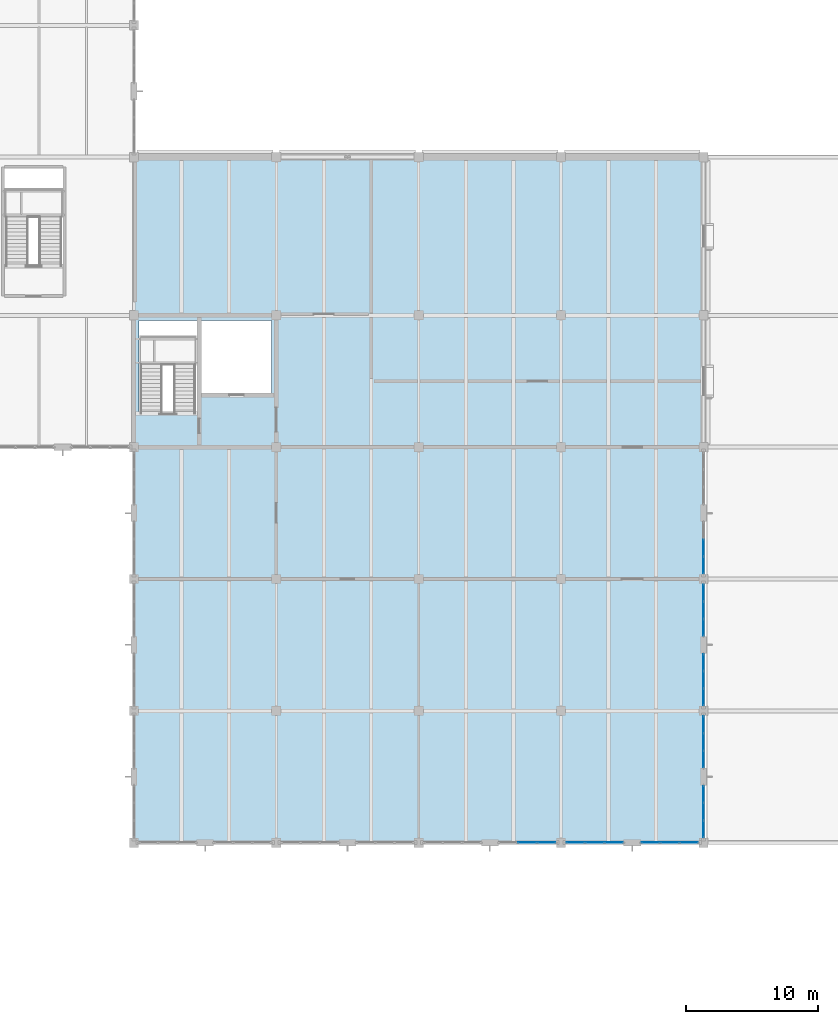
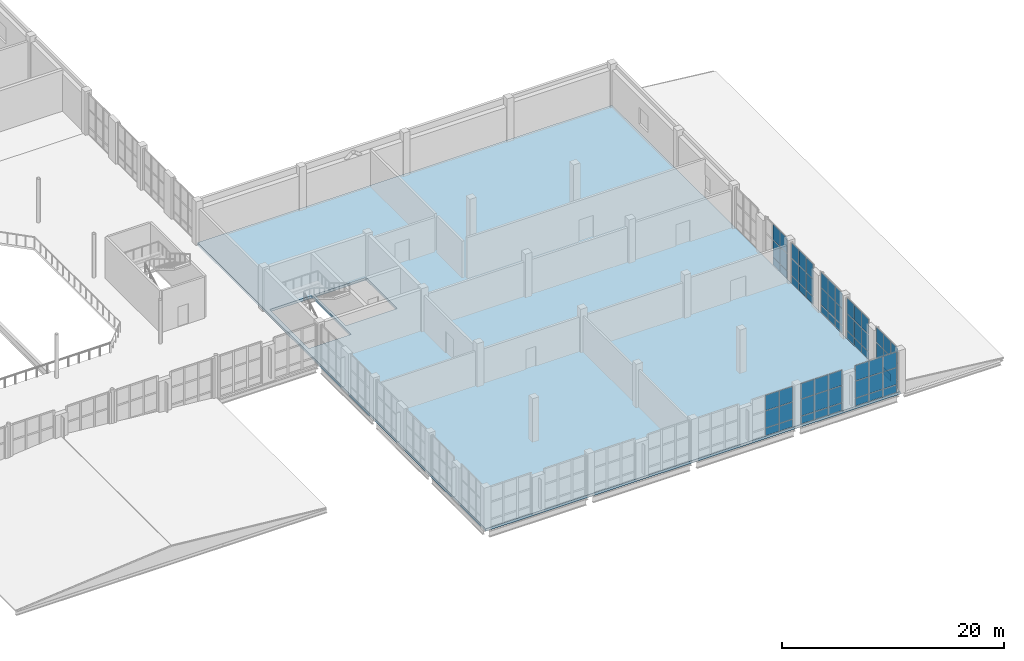
# One storey, part 63 of 92: 66 plates, 1 slab, 8 elements without a shape of their own.
"""IFC4 building model written with IfcOpenShell, lengths in metres."""

from ifc_helpers import new_model, si_unit, direction, frame, origin, origin_2d, place, context, subcontext, project, spatial, polyline, rectangle, outline, extrude, material, layer, layer_set, type_object, element, aggregate, save


model = new_model("IFC4")

# Units and contexts
model_context = context("Model", 3, precision=1e-05, world=origin(), true_north=direction((0.0, 1.0)))
body_context = subcontext(model_context, "Body", "Model", "MODEL_VIEW")
ifc_project = project(units=[si_unit("LENGTHUNIT", "METRE"), si_unit("AREAUNIT", "SQUARE_METRE"), si_unit("VOLUMEUNIT", "CUBIC_METRE"), si_unit("PLANEANGLEUNIT", "RADIAN"), si_unit("MASSUNIT", "GRAM", prefix="KILO")], contexts=[model_context])

# Site, building, storey
site_placement = place(None, origin())
site = spatial("IfcSite", under=ifc_project, at=site_placement, CompositionType="ELEMENT")
building_placement = place(site_placement, origin())
building = spatial("IfcBuilding", under=site, at=building_placement, Name="Tasgan Crest Museum", CompositionType="ELEMENT")
storey_placement = place(building_placement, frame((0.0, 0.0, 4.800048828125)))
storey = spatial("IfcBuildingStorey", under=building, at=storey_placement, Name="L01", CompositionType="ELEMENT", Elevation=4.800048828125)

# Curtain wall, plates
ifc_material_1 = material(Name="Triple-Glazed Aluminium Curtain Wall", Category="aluminium")
ifc_layer_1 = layer(ifc_material_1, 0.179931640625, Name="CW-PORCH-X")
ifc_layer_set_1 = layer_set([ifc_layer_1], Name="Triple-Glazed Aluminium Curtain Wall")
curtain_wall_type_1 = type_object("IfcCurtainWallType", Name="CW-PORCH-X", PredefinedType="NOTDEFINED", material=ifc_layer_set_1)
curtain_wall_1_placement = place(storey_placement, origin())
curtain_wall_1 = element("IfcCurtainWall", 1, at=curtain_wall_1_placement, inside=storey, type_object=curtain_wall_type_1, Name="Curtain wall L01 048", PredefinedType="NOTDEFINED")
ifc_material_2 = material(Name="Insulated Spandrel Glass", Category="glass")
ifc_layer_2 = layer(ifc_material_2, 0.052001953125, Name="CW-PANEL-SPANDREL")
ifc_layer_set_2 = layer_set([ifc_layer_2], Name="Insulated Spandrel Glass")
plate_type_1 = type_object("IfcPlateType", Name="CW-PANEL-SPANDREL", PredefinedType="CURTAIN_PANEL", material=ifc_layer_set_2)
plate_1_placement = place(storey_placement, frame((137.840087890625, 10.0, 0.059814453125), z_axis=(0.0, 0.0, 1.0), x_axis=(1.0, 0.0, 0.0)))
plate_1 = element("IfcPlate", 2, at=plate_1_placement, type_object=plate_type_1, Name="CW01 panel 2.1", PredefinedType="CURTAIN_PANEL", context=body_context, shape_type="SweptSolid", body=[
    extrude(rectangle(XDim=1.4033203125, YDim=0.028076171875, at=origin_2d()), origin(), (0.0, 0.0, 1.0), 0.81005859375),
])
plate_2_placement = place(storey_placement, frame((139.288330078125, 10.0, 0.059814453125), z_axis=(0.0, 0.0, 1.0), x_axis=(1.0, 0.0, 0.0)))
plate_2 = element("IfcPlate", 3, at=plate_2_placement, type_object=plate_type_1, Name="CW01 panel 3.1", PredefinedType="CURTAIN_PANEL", context=body_context, shape_type="SweptSolid", body=[
    extrude(rectangle(XDim=1.373291015625, YDim=0.028076171875, at=origin_2d()), origin(), (0.0, 0.0, 1.0), 0.81005859375),
])

curtain_wall_2_placement = place(storey_placement, origin())
curtain_wall_2 = element("IfcCurtainWall", 4, at=curtain_wall_2_placement, inside=storey, type_object=curtain_wall_type_1, Name="Curtain wall L01 049", PredefinedType="NOTDEFINED")
plate_3_placement = place(storey_placement, frame((141.51171875, 10.0, 0.059814453125), z_axis=(0.0, 0.0, 1.0), x_axis=(1.0, 0.0, 0.0)))
plate_3 = element("IfcPlate", 5, at=plate_3_placement, type_object=plate_type_1, Name="CW01 panel 1.1", PredefinedType="CURTAIN_PANEL", context=body_context, shape_type="SweptSolid", body=[
    extrude(rectangle(XDim=1.373291015625, YDim=0.028076171875, at=origin_2d()), origin(), (0.0, 0.0, 1.0), 0.81005859375),
])
plate_4_placement = place(storey_placement, frame((142.9599609375, 10.0, 0.059814453125), z_axis=(0.0, 0.0, 1.0), x_axis=(1.0, 0.0, 0.0)))
plate_4 = element("IfcPlate", 6, at=plate_4_placement, type_object=plate_type_1, Name="CW01 panel 2.1", PredefinedType="CURTAIN_PANEL", context=body_context, shape_type="SweptSolid", body=[
    extrude(rectangle(XDim=1.4033203125, YDim=0.028076171875, at=origin_2d()), origin(), (0.0, 0.0, 1.0), 0.81005859375),
])
plate_5_placement = place(storey_placement, frame((144.408447265625, 10.0, 0.059814453125), z_axis=(0.0, 0.0, 1.0), x_axis=(1.0, 0.0, 0.0)))
plate_5 = element("IfcPlate", 7, at=plate_5_placement, type_object=plate_type_1, Name="CW01 panel 3.1", PredefinedType="CURTAIN_PANEL", context=body_context, shape_type="SweptSolid", body=[
    extrude(rectangle(XDim=1.373291015625, YDim=0.028076171875, at=origin_2d()), origin(), (0.0, 0.0, 1.0), 0.81005859375),
])

curtain_wall_3_placement = place(storey_placement, origin())
curtain_wall_3 = element("IfcCurtainWall", 8, at=curtain_wall_3_placement, inside=storey, type_object=curtain_wall_type_1, Name="Curtain wall L01 050", PredefinedType="NOTDEFINED")
plate_6_placement = place(storey_placement, frame((147.191650390625, 10.0, 0.059814453125), z_axis=(0.0, 0.0, 1.0), x_axis=(1.0, 0.0, 0.0)))
plate_6 = element("IfcPlate", 9, at=plate_6_placement, type_object=plate_type_1, Name="CW01 panel 1.1", PredefinedType="CURTAIN_PANEL", context=body_context, shape_type="SweptSolid", body=[
    extrude(rectangle(XDim=1.373291015625, YDim=0.028076171875, at=origin_2d()), origin(), (0.0, 0.0, 1.0), 0.81005859375),
])
plate_7_placement = place(storey_placement, frame((148.639892578125, 10.0, 0.059814453125), z_axis=(0.0, 0.0, 1.0), x_axis=(1.0, 0.0, 0.0)))
plate_7 = element("IfcPlate", 10, at=plate_7_placement, type_object=plate_type_1, Name="CW01 panel 2.1", PredefinedType="CURTAIN_PANEL", context=body_context, shape_type="SweptSolid", body=[
    extrude(rectangle(XDim=1.4033203125, YDim=0.028076171875, at=origin_2d()), origin(), (0.0, 0.0, 1.0), 0.81005859375),
])
plate_8_placement = place(storey_placement, frame((150.08837890625, 10.0, 0.059814453125), z_axis=(0.0, 0.0, 1.0), x_axis=(1.0, 0.0, 0.0)))
plate_8 = element("IfcPlate", 11, at=plate_8_placement, type_object=plate_type_1, Name="CW01 panel 3.1", PredefinedType="CURTAIN_PANEL", context=body_context, shape_type="SweptSolid", body=[
    extrude(rectangle(XDim=1.373291015625, YDim=0.028076171875, at=origin_2d()), origin(), (0.0, 0.0, 1.0), 0.81005859375),
])

ifc_material_3 = material(Name="Triple-Glazed Aluminium Curtain Wall", Category="aluminium")
ifc_layer_3 = layer(ifc_material_3, 0.179931640625, Name="CW-PORCH-Y")
ifc_layer_set_3 = layer_set([ifc_layer_3], Name="Triple-Glazed Aluminium Curtain Wall")
curtain_wall_type_2 = type_object("IfcCurtainWallType", Name="CW-PORCH-Y", PredefinedType="NOTDEFINED", material=ifc_layer_set_3)
curtain_wall_4_placement = place(storey_placement, origin())
curtain_wall_4 = element("IfcCurtainWall", 12, at=curtain_wall_4_placement, inside=storey, type_object=curtain_wall_type_2, Name="Curtain wall L01 051", PredefinedType="NOTDEFINED")
plate_9_placement = place(storey_placement, frame((151.199951171875, 11.044921875, 0.059814453125), z_axis=(0.0, 0.0, 1.0), x_axis=(0.0, 1.0, 0.0)))
plate_9 = element("IfcPlate", 13, at=plate_9_placement, type_object=plate_type_1, Name="CW02 panel 1.1", PredefinedType="CURTAIN_PANEL", context=body_context, shape_type="SweptSolid", body=[
    extrude(rectangle(XDim=1.239990234375, YDim=0.028076171875, at=origin_2d()), origin(), (0.0, 0.0, 1.0), 0.81005859375),
])
plate_10_placement = place(storey_placement, frame((151.199951171875, 12.360107421875, 0.059814453125), z_axis=(0.0, 0.0, 1.0), x_axis=(0.0, 1.0, 0.0)))
plate_10 = element("IfcPlate", 14, at=plate_10_placement, type_object=plate_type_1, Name="CW02 panel 2.1", PredefinedType="CURTAIN_PANEL", context=body_context, shape_type="SweptSolid", body=[
    extrude(rectangle(XDim=1.27001953125, YDim=0.028076171875, at=origin_2d()), origin(), (0.0, 0.0, 1.0), 0.81005859375),
])
plate_11_placement = place(storey_placement, frame((151.199951171875, 13.675048828125, 0.059814453125), z_axis=(0.0, 0.0, 1.0), x_axis=(0.0, 1.0, 0.0)))
plate_11 = element("IfcPlate", 15, at=plate_11_placement, type_object=plate_type_1, Name="CW02 panel 3.1", PredefinedType="CURTAIN_PANEL", context=body_context, shape_type="SweptSolid", body=[
    extrude(rectangle(XDim=1.239990234375, YDim=0.028076171875, at=origin_2d()), origin(), (0.0, 0.0, 1.0), 0.81005859375),
])

curtain_wall_5_placement = place(storey_placement, origin())
curtain_wall_5 = element("IfcCurtainWall", 16, at=curtain_wall_5_placement, inside=storey, type_object=curtain_wall_type_2, Name="Curtain wall L01 052", PredefinedType="NOTDEFINED")
plate_12_placement = place(storey_placement, frame((151.199951171875, 16.324951171875, 0.059814453125), z_axis=(0.0, 0.0, 1.0), x_axis=(0.0, 1.0, 0.0)))
plate_12 = element("IfcPlate", 17, at=plate_12_placement, type_object=plate_type_1, Name="CW02 panel 1.1", PredefinedType="CURTAIN_PANEL", context=body_context, shape_type="SweptSolid", body=[
    extrude(rectangle(XDim=1.239990234375, YDim=0.028076171875, at=origin_2d()), origin(), (0.0, 0.0, 1.0), 0.81005859375),
])
plate_13_placement = place(storey_placement, frame((151.199951171875, 17.639892578125, 0.059814453125), z_axis=(0.0, 0.0, 1.0), x_axis=(0.0, 1.0, 0.0)))
plate_13 = element("IfcPlate", 18, at=plate_13_placement, type_object=plate_type_1, Name="CW02 panel 2.1", PredefinedType="CURTAIN_PANEL", context=body_context, shape_type="SweptSolid", body=[
    extrude(rectangle(XDim=1.27001953125, YDim=0.028076171875, at=origin_2d()), origin(), (0.0, 0.0, 1.0), 0.81005859375),
])
plate_14_placement = place(storey_placement, frame((151.199951171875, 18.955078125, 0.059814453125), z_axis=(0.0, 0.0, 1.0), x_axis=(0.0, 1.0, 0.0)))
plate_14 = element("IfcPlate", 19, at=plate_14_placement, type_object=plate_type_1, Name="CW02 panel 3.1", PredefinedType="CURTAIN_PANEL", context=body_context, shape_type="SweptSolid", body=[
    extrude(rectangle(XDim=1.239990234375, YDim=0.028076171875, at=origin_2d()), origin(), (0.0, 0.0, 1.0), 0.81005859375),
])

curtain_wall_6_placement = place(storey_placement, origin())
curtain_wall_6 = element("IfcCurtainWall", 20, at=curtain_wall_6_placement, inside=storey, type_object=curtain_wall_type_2, Name="Curtain wall L01 053", PredefinedType="NOTDEFINED")
plate_15_placement = place(storey_placement, frame((151.199951171875, 21.044921875, 0.059814453125), z_axis=(0.0, 0.0, 1.0), x_axis=(0.0, 1.0, 0.0)))
plate_15 = element("IfcPlate", 21, at=plate_15_placement, type_object=plate_type_1, Name="CW02 panel 1.1", PredefinedType="CURTAIN_PANEL", context=body_context, shape_type="SweptSolid", body=[
    extrude(rectangle(XDim=1.239990234375, YDim=0.028076171875, at=origin_2d()), origin(), (0.0, 0.0, 1.0), 0.81005859375),
])
plate_16_placement = place(storey_placement, frame((151.199951171875, 22.360107421875, 0.059814453125), z_axis=(0.0, 0.0, 1.0), x_axis=(0.0, 1.0, 0.0)))
plate_16 = element("IfcPlate", 22, at=plate_16_placement, type_object=plate_type_1, Name="CW02 panel 2.1", PredefinedType="CURTAIN_PANEL", context=body_context, shape_type="SweptSolid", body=[
    extrude(rectangle(XDim=1.27001953125, YDim=0.028076171875, at=origin_2d()), origin(), (0.0, 0.0, 1.0), 0.81005859375),
])
plate_17_placement = place(storey_placement, frame((151.199951171875, 23.675048828125, 0.059814453125), z_axis=(0.0, 0.0, 1.0), x_axis=(0.0, 1.0, 0.0)))
plate_17 = element("IfcPlate", 23, at=plate_17_placement, type_object=plate_type_1, Name="CW02 panel 3.1", PredefinedType="CURTAIN_PANEL", context=body_context, shape_type="SweptSolid", body=[
    extrude(rectangle(XDim=1.239990234375, YDim=0.028076171875, at=origin_2d()), origin(), (0.0, 0.0, 1.0), 0.81005859375),
])

curtain_wall_7_placement = place(storey_placement, origin())
curtain_wall_7 = element("IfcCurtainWall", 24, at=curtain_wall_7_placement, inside=storey, type_object=curtain_wall_type_2, Name="Curtain wall L01 054", PredefinedType="NOTDEFINED")
plate_18_placement = place(storey_placement, frame((151.199951171875, 26.324951171875, 0.059814453125), z_axis=(0.0, 0.0, 1.0), x_axis=(0.0, 1.0, 0.0)))
plate_18 = element("IfcPlate", 25, at=plate_18_placement, type_object=plate_type_1, Name="CW02 panel 1.1", PredefinedType="CURTAIN_PANEL", context=body_context, shape_type="SweptSolid", body=[
    extrude(rectangle(XDim=1.239990234375, YDim=0.028076171875, at=origin_2d()), origin(), (0.0, 0.0, 1.0), 0.81005859375),
])
plate_19_placement = place(storey_placement, frame((151.199951171875, 27.639892578125, 0.059814453125), z_axis=(0.0, 0.0, 1.0), x_axis=(0.0, 1.0, 0.0)))
plate_19 = element("IfcPlate", 26, at=plate_19_placement, type_object=plate_type_1, Name="CW02 panel 2.1", PredefinedType="CURTAIN_PANEL", context=body_context, shape_type="SweptSolid", body=[
    extrude(rectangle(XDim=1.27001953125, YDim=0.028076171875, at=origin_2d()), origin(), (0.0, 0.0, 1.0), 0.81005859375),
])
plate_20_placement = place(storey_placement, frame((151.199951171875, 28.955078125, 0.059814453125), z_axis=(0.0, 0.0, 1.0), x_axis=(0.0, 1.0, 0.0)))
plate_20 = element("IfcPlate", 27, at=plate_20_placement, type_object=plate_type_1, Name="CW02 panel 3.1", PredefinedType="CURTAIN_PANEL", context=body_context, shape_type="SweptSolid", body=[
    extrude(rectangle(XDim=1.239990234375, YDim=0.028076171875, at=origin_2d()), origin(), (0.0, 0.0, 1.0), 0.81005859375),
])

curtain_wall_8_placement = place(storey_placement, origin())
curtain_wall_8 = element("IfcCurtainWall", 28, at=curtain_wall_8_placement, inside=storey, type_object=curtain_wall_type_2, Name="Curtain wall L01 055", PredefinedType="NOTDEFINED")
plate_21_placement = place(storey_placement, frame((151.199951171875, 31.044921875, 0.059814453125), z_axis=(0.0, 0.0, 1.0), x_axis=(0.0, 1.0, 0.0)))
plate_21 = element("IfcPlate", 29, at=plate_21_placement, type_object=plate_type_1, Name="CW02 panel 1.1", PredefinedType="CURTAIN_PANEL", context=body_context, shape_type="SweptSolid", body=[
    extrude(rectangle(XDim=1.239990234375, YDim=0.028076171875, at=origin_2d()), origin(), (0.0, 0.0, 1.0), 0.81005859375),
])
plate_22_placement = place(storey_placement, frame((151.199951171875, 32.360107421875, 0.059814453125), z_axis=(0.0, 0.0, 1.0), x_axis=(0.0, 1.0, 0.0)))
plate_22 = element("IfcPlate", 30, at=plate_22_placement, type_object=plate_type_1, Name="CW02 panel 2.1", PredefinedType="CURTAIN_PANEL", context=body_context, shape_type="SweptSolid", body=[
    extrude(rectangle(XDim=1.27001953125, YDim=0.028076171875, at=origin_2d()), origin(), (0.0, 0.0, 1.0), 0.81005859375),
])

# Plate
ifc_material_4 = material(Name="Low-E Triple Glazing", Category="glass")
ifc_layer_4 = layer(ifc_material_4, 0.0439453125, Name="CW-PANEL-TRIPLE")
ifc_layer_set_4 = layer_set([ifc_layer_4], Name="Low-E Triple Glazing")
plate_type_2 = type_object("IfcPlateType", Name="CW-PANEL-TRIPLE", PredefinedType="CURTAIN_PANEL", material=ifc_layer_set_4)
plate_23_placement = place(storey_placement, frame((137.840087890625, 10.0, 0.9296875), z_axis=(0.0, 0.0, 1.0), x_axis=(1.0, 0.0, 0.0)))
plate_23 = element("IfcPlate", 31, at=plate_23_placement, type_object=plate_type_2, Name="CW01 panel 2.2", PredefinedType="CURTAIN_PANEL", context=body_context, shape_type="SweptSolid", body=[
    extrude(rectangle(XDim=1.4033203125, YDim=0.028076171875, at=origin_2d()), origin(), (0.0, 0.0, 1.0), 1.840087890625),
])

plate_24_placement = place(storey_placement, frame((137.840087890625, 10.0, 2.830078125), z_axis=(0.0, 0.0, 1.0), x_axis=(1.0, 0.0, 0.0)))
plate_24 = element("IfcPlate", 32, at=plate_24_placement, type_object=plate_type_2, Name="CW01 panel 2.3", PredefinedType="CURTAIN_PANEL", context=body_context, shape_type="SweptSolid", body=[
    extrude(rectangle(XDim=1.4033203125, YDim=0.028076171875, at=origin_2d()), origin(), (0.0, 0.0, 1.0), 1.669921875),
])

plate_25_placement = place(storey_placement, frame((139.288330078125, 10.0, 0.9296875), z_axis=(0.0, 0.0, 1.0), x_axis=(1.0, 0.0, 0.0)))
plate_25 = element("IfcPlate", 33, at=plate_25_placement, type_object=plate_type_2, Name="CW01 panel 3.2", PredefinedType="CURTAIN_PANEL", context=body_context, shape_type="SweptSolid", body=[
    extrude(rectangle(XDim=1.373291015625, YDim=0.028076171875, at=origin_2d()), origin(), (0.0, 0.0, 1.0), 1.840087890625),
])

plate_26_placement = place(storey_placement, frame((139.288330078125, 10.0, 2.830078125), z_axis=(0.0, 0.0, 1.0), x_axis=(1.0, 0.0, 0.0)))
plate_26 = element("IfcPlate", 34, at=plate_26_placement, type_object=plate_type_2, Name="CW01 panel 3.3", PredefinedType="CURTAIN_PANEL", context=body_context, shape_type="SweptSolid", body=[
    extrude(rectangle(XDim=1.373291015625, YDim=0.028076171875, at=origin_2d()), origin(), (0.0, 0.0, 1.0), 1.669921875),
])

aggregate(curtain_wall_1, [plate_1, plate_23, plate_24, plate_2, plate_25, plate_26])

plate_27_placement = place(storey_placement, frame((141.51171875, 10.0, 0.9296875), z_axis=(0.0, 0.0, 1.0), x_axis=(1.0, 0.0, 0.0)))
plate_27 = element("IfcPlate", 35, at=plate_27_placement, type_object=plate_type_2, Name="CW01 panel 1.2", PredefinedType="CURTAIN_PANEL", context=body_context, shape_type="SweptSolid", body=[
    extrude(rectangle(XDim=1.373291015625, YDim=0.028076171875, at=origin_2d()), origin(), (0.0, 0.0, 1.0), 1.840087890625),
])

plate_28_placement = place(storey_placement, frame((141.51171875, 10.0, 2.830078125), z_axis=(0.0, 0.0, 1.0), x_axis=(1.0, 0.0, 0.0)))
plate_28 = element("IfcPlate", 36, at=plate_28_placement, type_object=plate_type_2, Name="CW01 panel 1.3", PredefinedType="CURTAIN_PANEL", context=body_context, shape_type="SweptSolid", body=[
    extrude(rectangle(XDim=1.373291015625, YDim=0.028076171875, at=origin_2d()), origin(), (0.0, 0.0, 1.0), 1.669921875),
])

plate_29_placement = place(storey_placement, frame((142.9599609375, 10.0, 0.9296875), z_axis=(0.0, 0.0, 1.0), x_axis=(1.0, 0.0, 0.0)))
plate_29 = element("IfcPlate", 37, at=plate_29_placement, type_object=plate_type_2, Name="CW01 panel 2.2", PredefinedType="CURTAIN_PANEL", context=body_context, shape_type="SweptSolid", body=[
    extrude(rectangle(XDim=1.4033203125, YDim=0.028076171875, at=origin_2d()), origin(), (0.0, 0.0, 1.0), 1.840087890625),
])

plate_30_placement = place(storey_placement, frame((142.9599609375, 10.0, 2.830078125), z_axis=(0.0, 0.0, 1.0), x_axis=(1.0, 0.0, 0.0)))
plate_30 = element("IfcPlate", 38, at=plate_30_placement, type_object=plate_type_2, Name="CW01 panel 2.3", PredefinedType="CURTAIN_PANEL", context=body_context, shape_type="SweptSolid", body=[
    extrude(rectangle(XDim=1.4033203125, YDim=0.028076171875, at=origin_2d()), origin(), (0.0, 0.0, 1.0), 1.669921875),
])

plate_31_placement = place(storey_placement, frame((144.408447265625, 10.0, 0.9296875), z_axis=(0.0, 0.0, 1.0), x_axis=(1.0, 0.0, 0.0)))
plate_31 = element("IfcPlate", 39, at=plate_31_placement, type_object=plate_type_2, Name="CW01 panel 3.2", PredefinedType="CURTAIN_PANEL", context=body_context, shape_type="SweptSolid", body=[
    extrude(rectangle(XDim=1.373291015625, YDim=0.028076171875, at=origin_2d()), origin(), (0.0, 0.0, 1.0), 1.840087890625),
])

plate_32_placement = place(storey_placement, frame((144.408447265625, 10.0, 2.830078125), z_axis=(0.0, 0.0, 1.0), x_axis=(1.0, 0.0, 0.0)))
plate_32 = element("IfcPlate", 40, at=plate_32_placement, type_object=plate_type_2, Name="CW01 panel 3.3", PredefinedType="CURTAIN_PANEL", context=body_context, shape_type="SweptSolid", body=[
    extrude(rectangle(XDim=1.373291015625, YDim=0.028076171875, at=origin_2d()), origin(), (0.0, 0.0, 1.0), 1.669921875),
])

aggregate(curtain_wall_2, [plate_3, plate_27, plate_28, plate_4, plate_29, plate_30, plate_5, plate_31, plate_32])

plate_33_placement = place(storey_placement, frame((147.191650390625, 10.0, 0.9296875), z_axis=(0.0, 0.0, 1.0), x_axis=(1.0, 0.0, 0.0)))
plate_33 = element("IfcPlate", 41, at=plate_33_placement, type_object=plate_type_2, Name="CW01 panel 1.2", PredefinedType="CURTAIN_PANEL", context=body_context, shape_type="SweptSolid", body=[
    extrude(rectangle(XDim=1.373291015625, YDim=0.028076171875, at=origin_2d()), origin(), (0.0, 0.0, 1.0), 1.840087890625),
])

plate_34_placement = place(storey_placement, frame((147.191650390625, 10.0, 2.830078125), z_axis=(0.0, 0.0, 1.0), x_axis=(1.0, 0.0, 0.0)))
plate_34 = element("IfcPlate", 42, at=plate_34_placement, type_object=plate_type_2, Name="CW01 panel 1.3", PredefinedType="CURTAIN_PANEL", context=body_context, shape_type="SweptSolid", body=[
    extrude(rectangle(XDim=1.373291015625, YDim=0.028076171875, at=origin_2d()), origin(), (0.0, 0.0, 1.0), 1.669921875),
])

plate_35_placement = place(storey_placement, frame((148.639892578125, 10.0, 0.9296875), z_axis=(0.0, 0.0, 1.0), x_axis=(1.0, 0.0, 0.0)))
plate_35 = element("IfcPlate", 43, at=plate_35_placement, type_object=plate_type_2, Name="CW01 panel 2.2", PredefinedType="CURTAIN_PANEL", context=body_context, shape_type="SweptSolid", body=[
    extrude(rectangle(XDim=1.4033203125, YDim=0.028076171875, at=origin_2d()), origin(), (0.0, 0.0, 1.0), 1.840087890625),
])

plate_36_placement = place(storey_placement, frame((148.639892578125, 10.0, 2.830078125), z_axis=(0.0, 0.0, 1.0), x_axis=(1.0, 0.0, 0.0)))
plate_36 = element("IfcPlate", 44, at=plate_36_placement, type_object=plate_type_2, Name="CW01 panel 2.3", PredefinedType="CURTAIN_PANEL", context=body_context, shape_type="SweptSolid", body=[
    extrude(rectangle(XDim=1.4033203125, YDim=0.028076171875, at=origin_2d()), origin(), (0.0, 0.0, 1.0), 1.669921875),
])

plate_37_placement = place(storey_placement, frame((150.08837890625, 10.0, 0.9296875), z_axis=(0.0, 0.0, 1.0), x_axis=(1.0, 0.0, 0.0)))
plate_37 = element("IfcPlate", 45, at=plate_37_placement, type_object=plate_type_2, Name="CW01 panel 3.2", PredefinedType="CURTAIN_PANEL", context=body_context, shape_type="SweptSolid", body=[
    extrude(rectangle(XDim=1.373291015625, YDim=0.028076171875, at=origin_2d()), origin(), (0.0, 0.0, 1.0), 1.840087890625),
])

plate_38_placement = place(storey_placement, frame((150.08837890625, 10.0, 2.830078125), z_axis=(0.0, 0.0, 1.0), x_axis=(1.0, 0.0, 0.0)))
plate_38 = element("IfcPlate", 46, at=plate_38_placement, type_object=plate_type_2, Name="CW01 panel 3.3", PredefinedType="CURTAIN_PANEL", context=body_context, shape_type="SweptSolid", body=[
    extrude(rectangle(XDim=1.373291015625, YDim=0.028076171875, at=origin_2d()), origin(), (0.0, 0.0, 1.0), 1.669921875),
])

aggregate(curtain_wall_3, [plate_6, plate_33, plate_34, plate_7, plate_35, plate_36, plate_8, plate_37, plate_38])

plate_39_placement = place(storey_placement, frame((151.199951171875, 11.044921875, 0.9296875), z_axis=(0.0, 0.0, 1.0), x_axis=(0.0, 1.0, 0.0)))
plate_39 = element("IfcPlate", 47, at=plate_39_placement, type_object=plate_type_2, Name="CW02 panel 1.2", PredefinedType="CURTAIN_PANEL", context=body_context, shape_type="SweptSolid", body=[
    extrude(rectangle(XDim=1.239990234375, YDim=0.028076171875, at=origin_2d()), origin(), (0.0, 0.0, 1.0), 1.840087890625),
])

plate_40_placement = place(storey_placement, frame((151.199951171875, 11.044921875, 2.830078125), z_axis=(0.0, 0.0, 1.0), x_axis=(0.0, 1.0, 0.0)))
plate_40 = element("IfcPlate", 48, at=plate_40_placement, type_object=plate_type_2, Name="CW02 panel 1.3", PredefinedType="CURTAIN_PANEL", context=body_context, shape_type="SweptSolid", body=[
    extrude(rectangle(XDim=1.239990234375, YDim=0.028076171875, at=origin_2d()), origin(), (0.0, 0.0, 1.0), 1.669921875),
])

plate_41_placement = place(storey_placement, frame((151.199951171875, 12.360107421875, 0.9296875), z_axis=(0.0, 0.0, 1.0), x_axis=(0.0, 1.0, 0.0)))
plate_41 = element("IfcPlate", 49, at=plate_41_placement, type_object=plate_type_2, Name="CW02 panel 2.2", PredefinedType="CURTAIN_PANEL", context=body_context, shape_type="SweptSolid", body=[
    extrude(rectangle(XDim=1.27001953125, YDim=0.028076171875, at=origin_2d()), origin(), (0.0, 0.0, 1.0), 1.840087890625),
])

plate_42_placement = place(storey_placement, frame((151.199951171875, 12.360107421875, 2.830078125), z_axis=(0.0, 0.0, 1.0), x_axis=(0.0, 1.0, 0.0)))
plate_42 = element("IfcPlate", 50, at=plate_42_placement, type_object=plate_type_2, Name="CW02 panel 2.3", PredefinedType="CURTAIN_PANEL", context=body_context, shape_type="SweptSolid", body=[
    extrude(rectangle(XDim=1.27001953125, YDim=0.028076171875, at=origin_2d()), origin(), (0.0, 0.0, 1.0), 1.669921875),
])

plate_43_placement = place(storey_placement, frame((151.199951171875, 13.675048828125, 0.9296875), z_axis=(0.0, 0.0, 1.0), x_axis=(0.0, 1.0, 0.0)))
plate_43 = element("IfcPlate", 51, at=plate_43_placement, type_object=plate_type_2, Name="CW02 panel 3.2", PredefinedType="CURTAIN_PANEL", context=body_context, shape_type="SweptSolid", body=[
    extrude(rectangle(XDim=1.239990234375, YDim=0.028076171875, at=origin_2d()), origin(), (0.0, 0.0, 1.0), 1.840087890625),
])

plate_44_placement = place(storey_placement, frame((151.199951171875, 13.675048828125, 2.830078125), z_axis=(0.0, 0.0, 1.0), x_axis=(0.0, 1.0, 0.0)))
plate_44 = element("IfcPlate", 52, at=plate_44_placement, type_object=plate_type_2, Name="CW02 panel 3.3", PredefinedType="CURTAIN_PANEL", context=body_context, shape_type="SweptSolid", body=[
    extrude(rectangle(XDim=1.239990234375, YDim=0.028076171875, at=origin_2d()), origin(), (0.0, 0.0, 1.0), 1.669921875),
])

aggregate(curtain_wall_4, [plate_9, plate_39, plate_40, plate_10, plate_41, plate_42, plate_11, plate_43, plate_44])

plate_45_placement = place(storey_placement, frame((151.199951171875, 16.324951171875, 0.9296875), z_axis=(0.0, 0.0, 1.0), x_axis=(0.0, 1.0, 0.0)))
plate_45 = element("IfcPlate", 53, at=plate_45_placement, type_object=plate_type_2, Name="CW02 panel 1.2", PredefinedType="CURTAIN_PANEL", context=body_context, shape_type="SweptSolid", body=[
    extrude(rectangle(XDim=1.239990234375, YDim=0.028076171875, at=origin_2d()), origin(), (0.0, 0.0, 1.0), 1.840087890625),
])

plate_46_placement = place(storey_placement, frame((151.199951171875, 16.324951171875, 2.830078125), z_axis=(0.0, 0.0, 1.0), x_axis=(0.0, 1.0, 0.0)))
plate_46 = element("IfcPlate", 54, at=plate_46_placement, type_object=plate_type_2, Name="CW02 panel 1.3", PredefinedType="CURTAIN_PANEL", context=body_context, shape_type="SweptSolid", body=[
    extrude(rectangle(XDim=1.239990234375, YDim=0.028076171875, at=origin_2d()), origin(), (0.0, 0.0, 1.0), 1.669921875),
])

plate_47_placement = place(storey_placement, frame((151.199951171875, 17.639892578125, 0.9296875), z_axis=(0.0, 0.0, 1.0), x_axis=(0.0, 1.0, 0.0)))
plate_47 = element("IfcPlate", 55, at=plate_47_placement, type_object=plate_type_2, Name="CW02 panel 2.2", PredefinedType="CURTAIN_PANEL", context=body_context, shape_type="SweptSolid", body=[
    extrude(rectangle(XDim=1.27001953125, YDim=0.028076171875, at=origin_2d()), origin(), (0.0, 0.0, 1.0), 1.840087890625),
])

plate_48_placement = place(storey_placement, frame((151.199951171875, 17.639892578125, 2.830078125), z_axis=(0.0, 0.0, 1.0), x_axis=(0.0, 1.0, 0.0)))
plate_48 = element("IfcPlate", 56, at=plate_48_placement, type_object=plate_type_2, Name="CW02 panel 2.3", PredefinedType="CURTAIN_PANEL", context=body_context, shape_type="SweptSolid", body=[
    extrude(rectangle(XDim=1.27001953125, YDim=0.028076171875, at=origin_2d()), origin(), (0.0, 0.0, 1.0), 1.669921875),
])

plate_49_placement = place(storey_placement, frame((151.199951171875, 18.955078125, 0.9296875), z_axis=(0.0, 0.0, 1.0), x_axis=(0.0, 1.0, 0.0)))
plate_49 = element("IfcPlate", 57, at=plate_49_placement, type_object=plate_type_2, Name="CW02 panel 3.2", PredefinedType="CURTAIN_PANEL", context=body_context, shape_type="SweptSolid", body=[
    extrude(rectangle(XDim=1.239990234375, YDim=0.028076171875, at=origin_2d()), origin(), (0.0, 0.0, 1.0), 1.840087890625),
])

plate_50_placement = place(storey_placement, frame((151.199951171875, 18.955078125, 2.830078125), z_axis=(0.0, 0.0, 1.0), x_axis=(0.0, 1.0, 0.0)))
plate_50 = element("IfcPlate", 58, at=plate_50_placement, type_object=plate_type_2, Name="CW02 panel 3.3", PredefinedType="CURTAIN_PANEL", context=body_context, shape_type="SweptSolid", body=[
    extrude(rectangle(XDim=1.239990234375, YDim=0.028076171875, at=origin_2d()), origin(), (0.0, 0.0, 1.0), 1.669921875),
])

aggregate(curtain_wall_5, [plate_12, plate_45, plate_46, plate_13, plate_47, plate_48, plate_14, plate_49, plate_50])

plate_51_placement = place(storey_placement, frame((151.199951171875, 21.044921875, 0.9296875), z_axis=(0.0, 0.0, 1.0), x_axis=(0.0, 1.0, 0.0)))
plate_51 = element("IfcPlate", 59, at=plate_51_placement, type_object=plate_type_2, Name="CW02 panel 1.2", PredefinedType="CURTAIN_PANEL", context=body_context, shape_type="SweptSolid", body=[
    extrude(rectangle(XDim=1.239990234375, YDim=0.028076171875, at=origin_2d()), origin(), (0.0, 0.0, 1.0), 1.840087890625),
])

plate_52_placement = place(storey_placement, frame((151.199951171875, 21.044921875, 2.830078125), z_axis=(0.0, 0.0, 1.0), x_axis=(0.0, 1.0, 0.0)))
plate_52 = element("IfcPlate", 60, at=plate_52_placement, type_object=plate_type_2, Name="CW02 panel 1.3", PredefinedType="CURTAIN_PANEL", context=body_context, shape_type="SweptSolid", body=[
    extrude(rectangle(XDim=1.239990234375, YDim=0.028076171875, at=origin_2d()), origin(), (0.0, 0.0, 1.0), 1.669921875),
])

plate_53_placement = place(storey_placement, frame((151.199951171875, 22.360107421875, 0.9296875), z_axis=(0.0, 0.0, 1.0), x_axis=(0.0, 1.0, 0.0)))
plate_53 = element("IfcPlate", 61, at=plate_53_placement, type_object=plate_type_2, Name="CW02 panel 2.2", PredefinedType="CURTAIN_PANEL", context=body_context, shape_type="SweptSolid", body=[
    extrude(rectangle(XDim=1.27001953125, YDim=0.028076171875, at=origin_2d()), origin(), (0.0, 0.0, 1.0), 1.840087890625),
])

plate_54_placement = place(storey_placement, frame((151.199951171875, 22.360107421875, 2.830078125), z_axis=(0.0, 0.0, 1.0), x_axis=(0.0, 1.0, 0.0)))
plate_54 = element("IfcPlate", 62, at=plate_54_placement, type_object=plate_type_2, Name="CW02 panel 2.3", PredefinedType="CURTAIN_PANEL", context=body_context, shape_type="SweptSolid", body=[
    extrude(rectangle(XDim=1.27001953125, YDim=0.028076171875, at=origin_2d()), origin(), (0.0, 0.0, 1.0), 1.669921875),
])

plate_55_placement = place(storey_placement, frame((151.199951171875, 23.675048828125, 0.9296875), z_axis=(0.0, 0.0, 1.0), x_axis=(0.0, 1.0, 0.0)))
plate_55 = element("IfcPlate", 63, at=plate_55_placement, type_object=plate_type_2, Name="CW02 panel 3.2", PredefinedType="CURTAIN_PANEL", context=body_context, shape_type="SweptSolid", body=[
    extrude(rectangle(XDim=1.239990234375, YDim=0.028076171875, at=origin_2d()), origin(), (0.0, 0.0, 1.0), 1.840087890625),
])

plate_56_placement = place(storey_placement, frame((151.199951171875, 23.675048828125, 2.830078125), z_axis=(0.0, 0.0, 1.0), x_axis=(0.0, 1.0, 0.0)))
plate_56 = element("IfcPlate", 64, at=plate_56_placement, type_object=plate_type_2, Name="CW02 panel 3.3", PredefinedType="CURTAIN_PANEL", context=body_context, shape_type="SweptSolid", body=[
    extrude(rectangle(XDim=1.239990234375, YDim=0.028076171875, at=origin_2d()), origin(), (0.0, 0.0, 1.0), 1.669921875),
])

aggregate(curtain_wall_6, [plate_15, plate_51, plate_52, plate_16, plate_53, plate_54, plate_17, plate_55, plate_56])

plate_57_placement = place(storey_placement, frame((151.199951171875, 26.324951171875, 0.9296875), z_axis=(0.0, 0.0, 1.0), x_axis=(0.0, 1.0, 0.0)))
plate_57 = element("IfcPlate", 65, at=plate_57_placement, type_object=plate_type_2, Name="CW02 panel 1.2", PredefinedType="CURTAIN_PANEL", context=body_context, shape_type="SweptSolid", body=[
    extrude(rectangle(XDim=1.239990234375, YDim=0.028076171875, at=origin_2d()), origin(), (0.0, 0.0, 1.0), 1.840087890625),
])

plate_58_placement = place(storey_placement, frame((151.199951171875, 26.324951171875, 2.830078125), z_axis=(0.0, 0.0, 1.0), x_axis=(0.0, 1.0, 0.0)))
plate_58 = element("IfcPlate", 66, at=plate_58_placement, type_object=plate_type_2, Name="CW02 panel 1.3", PredefinedType="CURTAIN_PANEL", context=body_context, shape_type="SweptSolid", body=[
    extrude(rectangle(XDim=1.239990234375, YDim=0.028076171875, at=origin_2d()), origin(), (0.0, 0.0, 1.0), 1.669921875),
])

plate_59_placement = place(storey_placement, frame((151.199951171875, 27.639892578125, 0.9296875), z_axis=(0.0, 0.0, 1.0), x_axis=(0.0, 1.0, 0.0)))
plate_59 = element("IfcPlate", 67, at=plate_59_placement, type_object=plate_type_2, Name="CW02 panel 2.2", PredefinedType="CURTAIN_PANEL", context=body_context, shape_type="SweptSolid", body=[
    extrude(rectangle(XDim=1.27001953125, YDim=0.028076171875, at=origin_2d()), origin(), (0.0, 0.0, 1.0), 1.840087890625),
])

plate_60_placement = place(storey_placement, frame((151.199951171875, 27.639892578125, 2.830078125), z_axis=(0.0, 0.0, 1.0), x_axis=(0.0, 1.0, 0.0)))
plate_60 = element("IfcPlate", 68, at=plate_60_placement, type_object=plate_type_2, Name="CW02 panel 2.3", PredefinedType="CURTAIN_PANEL", context=body_context, shape_type="SweptSolid", body=[
    extrude(rectangle(XDim=1.27001953125, YDim=0.028076171875, at=origin_2d()), origin(), (0.0, 0.0, 1.0), 1.669921875),
])

plate_61_placement = place(storey_placement, frame((151.199951171875, 28.955078125, 0.9296875), z_axis=(0.0, 0.0, 1.0), x_axis=(0.0, 1.0, 0.0)))
plate_61 = element("IfcPlate", 69, at=plate_61_placement, type_object=plate_type_2, Name="CW02 panel 3.2", PredefinedType="CURTAIN_PANEL", context=body_context, shape_type="SweptSolid", body=[
    extrude(rectangle(XDim=1.239990234375, YDim=0.028076171875, at=origin_2d()), origin(), (0.0, 0.0, 1.0), 1.840087890625),
])

plate_62_placement = place(storey_placement, frame((151.199951171875, 28.955078125, 2.830078125), z_axis=(0.0, 0.0, 1.0), x_axis=(0.0, 1.0, 0.0)))
plate_62 = element("IfcPlate", 70, at=plate_62_placement, type_object=plate_type_2, Name="CW02 panel 3.3", PredefinedType="CURTAIN_PANEL", context=body_context, shape_type="SweptSolid", body=[
    extrude(rectangle(XDim=1.239990234375, YDim=0.028076171875, at=origin_2d()), origin(), (0.0, 0.0, 1.0), 1.669921875),
])

aggregate(curtain_wall_7, [plate_18, plate_57, plate_58, plate_19, plate_59, plate_60, plate_20, plate_61, plate_62])

plate_63_placement = place(storey_placement, frame((151.199951171875, 31.044921875, 0.9296875), z_axis=(0.0, 0.0, 1.0), x_axis=(0.0, 1.0, 0.0)))
plate_63 = element("IfcPlate", 71, at=plate_63_placement, type_object=plate_type_2, Name="CW02 panel 1.2", PredefinedType="CURTAIN_PANEL", context=body_context, shape_type="SweptSolid", body=[
    extrude(rectangle(XDim=1.239990234375, YDim=0.028076171875, at=origin_2d()), origin(), (0.0, 0.0, 1.0), 1.840087890625),
])

plate_64_placement = place(storey_placement, frame((151.199951171875, 31.044921875, 2.830078125), z_axis=(0.0, 0.0, 1.0), x_axis=(0.0, 1.0, 0.0)))
plate_64 = element("IfcPlate", 72, at=plate_64_placement, type_object=plate_type_2, Name="CW02 panel 1.3", PredefinedType="CURTAIN_PANEL", context=body_context, shape_type="SweptSolid", body=[
    extrude(rectangle(XDim=1.239990234375, YDim=0.028076171875, at=origin_2d()), origin(), (0.0, 0.0, 1.0), 1.669921875),
])

plate_65_placement = place(storey_placement, frame((151.199951171875, 32.360107421875, 0.9296875), z_axis=(0.0, 0.0, 1.0), x_axis=(0.0, 1.0, 0.0)))
plate_65 = element("IfcPlate", 73, at=plate_65_placement, type_object=plate_type_2, Name="CW02 panel 2.2", PredefinedType="CURTAIN_PANEL", context=body_context, shape_type="SweptSolid", body=[
    extrude(rectangle(XDim=1.27001953125, YDim=0.028076171875, at=origin_2d()), origin(), (0.0, 0.0, 1.0), 1.840087890625),
])

plate_66_placement = place(storey_placement, frame((151.199951171875, 32.360107421875, 2.830078125), z_axis=(0.0, 0.0, 1.0), x_axis=(0.0, 1.0, 0.0)))
plate_66 = element("IfcPlate", 74, at=plate_66_placement, type_object=plate_type_2, Name="CW02 panel 2.3", PredefinedType="CURTAIN_PANEL", context=body_context, shape_type="SweptSolid", body=[
    extrude(rectangle(XDim=1.27001953125, YDim=0.028076171875, at=origin_2d()), origin(), (0.0, 0.0, 1.0), 1.669921875),
])

aggregate(curtain_wall_8, [plate_21, plate_63, plate_64, plate_22, plate_65, plate_66])

# Slab
ifc_material_5 = material(Name="Concrete C35/45", Category="concrete")
ifc_layer_5 = layer(ifc_material_5, 0.280029296875, Name="SL-FLR-280")
ifc_layer_set_5 = layer_set([ifc_layer_5], Name="Concrete C35/45")
slab_type = type_object("IfcSlabType", Name="SL-FLR-280", PredefinedType="FLOOR", material=ifc_layer_set_5)
slab_placement = place(storey_placement, frame((0.0, 0.0, -0.280029296875)))
element("IfcSlab", 75, at=slab_placement, inside=storey, type_object=slab_type, Name="Floor slab L01 V3", PredefinedType="FLOOR", context=body_context, shape_type="SweptSolid", body=[
    extrude(outline(polyline([(108.0, 10.0), (151.199951171875, 10.0), (151.199951171875, 62.0), (108.0, 62.0), (108.0, 10.0)]), holes=[polyline([(108.3798828125, 42.550048828125), (112.800048828125, 42.550048828125), (112.800048828125, 49.6201171875), (108.3798828125, 49.6201171875), (108.3798828125, 42.550048828125)]), polyline([(113.050048828125, 44.0), (118.419921875, 44.0), (118.419921875, 49.6201171875), (113.050048828125, 49.6201171875), (113.050048828125, 44.0)])]), origin(), (0.0, 0.0, 1.0), 0.280029296875),
])

save(model, "model.ifc")
